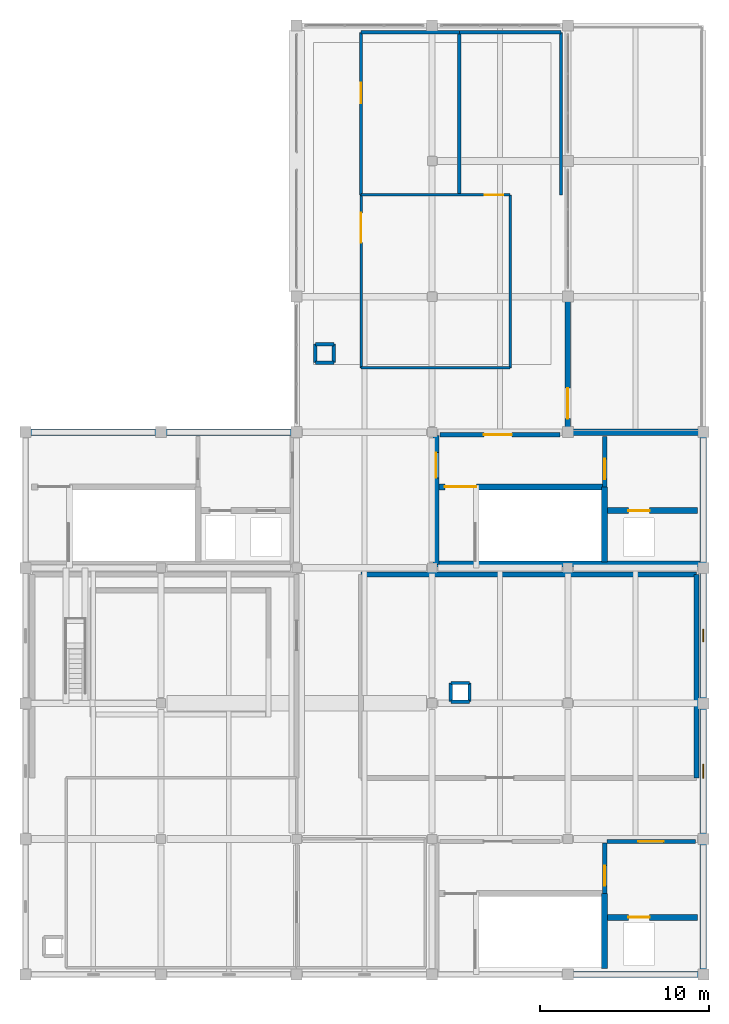
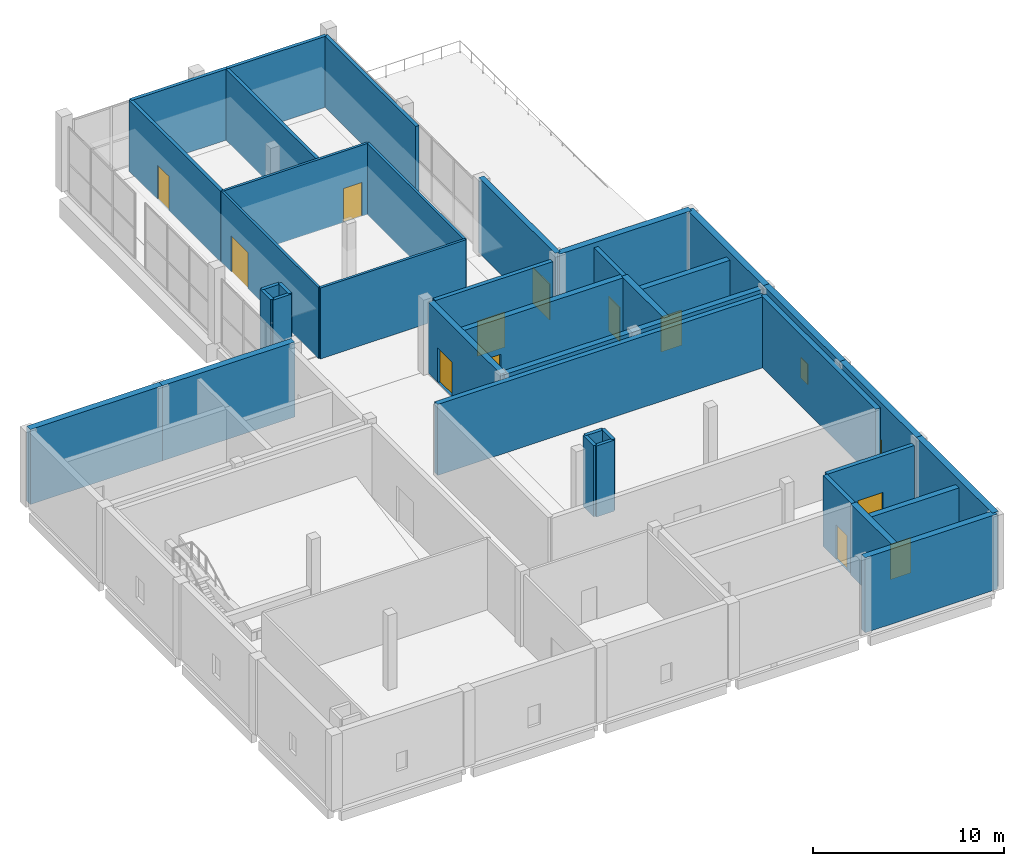
# One storey, part 6 of 8: 39 walls, 12 doors, 2 windows, 14 openings.
"""IFC4 building model written with IfcOpenShell, lengths in metres."""

import ifcopenshell
import ifcopenshell.guid

model = None  # the IFC model being written
_history = None  # IfcOwnerHistory: only IFC2X3 demands one
_inside = {}  # id of a spatial element -> (the spatial element, [elements in it])
_under = {}  # id of a project, library or spatial element -> (it, [spatial elements below it])
_declared = {}  # id of a project -> (the project, [libraries it declares])
_typed = {}  # id of a type object -> (the type object, [elements of that type])
_made_of = {}  # id of a material, layer set ... -> (it, [elements and type objects made of it])


def new_model(schema):
    """Start an empty IFC model of exactly this schema.

    Asked for "IFC4X3", IfcOpenShell would pick the latest addendum, in which some entities
    have other attributes; the version numbers below select the first issue.
    IFC2X3 requires an IfcOwnerHistory on every rooted entity: one is made here for all.
    """
    global model, _history
    if schema == "IFC4X3":
        model = ifcopenshell.file(schema_version=(4, 3, 0, 0))
    else:
        model = ifcopenshell.file(schema=schema)
    _inside.clear()
    _under.clear()
    _declared.clear()
    _typed.clear()
    _made_of.clear()
    _history = None
    if model.schema == "IFC2X3":
        org = make("IfcOrganization", Name="unknown")
        user = make(
            "IfcPersonAndOrganization",
            ThePerson=make("IfcPerson", FamilyName="unknown"),
            TheOrganization=org,
        )
        app = make(
            "IfcApplication",
            ApplicationDeveloper=org,
            Version="unknown",
            ApplicationFullName="unknown",
            ApplicationIdentifier="unknown",
        )
        _history = make(
            "IfcOwnerHistory",
            OwningUser=user,
            OwningApplication=app,
            ChangeAction="ADDED",
            CreationDate=0,
        )
    return model


def make(cls, **values):
    """One entity of the class cls with the attributes given. An attribute that is None is left unset."""
    return model.create_entity(
        cls, **{name: value for name, value in values.items() if value is not None}
    )


def rooted(cls, **values):
    """An entity with a GlobalId (a new one), such as an element, a storey or a relation."""
    return make(cls, GlobalId=ifcopenshell.guid.new(), OwnerHistory=_history, **values)


def si_unit(unit_type, name, prefix=None):
    """IfcSIUnit, for example si_unit("LENGTHUNIT", "METRE", prefix="MILLI")."""
    return make("IfcSIUnit", UnitType=unit_type, Prefix=prefix, Name=name)


def assignment(units):
    """IfcUnitAssignment: the units of a project."""
    return None if units is None else make("IfcUnitAssignment", Units=units)


def point(xyz):
    """IfcCartesianPoint."""
    return None if xyz is None else make("IfcCartesianPoint", Coordinates=xyz)


def direction(xyz):
    """IfcDirection."""
    return None if xyz is None else make("IfcDirection", DirectionRatios=xyz)


def frame(location, z_axis=None, x_axis=None):
    """IfcAxis2Placement3D, a coordinate frame: its origin and axes. An axis left out is left unset."""
    return make(
        "IfcAxis2Placement3D",
        Location=point(location),
        Axis=direction(z_axis),
        RefDirection=direction(x_axis),
    )


def frame_2d(location, x_axis=None):
    """IfcAxis2Placement2D, a coordinate frame in the plane: its origin and x axis."""
    return make(
        "IfcAxis2Placement2D", Location=point(location), RefDirection=direction(x_axis)
    )


def origin():
    """The frame at (0, 0, 0) with its axes left unset."""
    return frame((0.0, 0.0, 0.0))


def place(relative_to, where):
    """IfcLocalPlacement: puts the frame where relative to a parent placement (None: the world)."""
    return make(
        "IfcLocalPlacement", PlacementRelTo=relative_to, RelativePlacement=where
    )


def context(
    kind, dimensions, precision=None, world=None, true_north=None, identifier=None
):
    """IfcGeometricRepresentationContext, for example the 3D "Model" context."""
    return make(
        "IfcGeometricRepresentationContext",
        ContextIdentifier=identifier,
        ContextType=kind,
        CoordinateSpaceDimension=dimensions,
        Precision=precision,
        WorldCoordinateSystem=world,
        TrueNorth=true_north,
    )


def subcontext(parent, identifier, kind, view, scale=None):
    """IfcGeometricRepresentationSubContext, for example "Body" below "Model"."""
    return make(
        "IfcGeometricRepresentationSubContext",
        ContextIdentifier=identifier,
        ContextType=kind,
        ParentContext=parent,
        TargetScale=scale,
        TargetView=view,
    )


def project(units=None, contexts=None):
    """IfcProject with its units and contexts."""
    return rooted(
        "IfcProject",
        Name="project",
        RepresentationContexts=contexts,
        UnitsInContext=assignment(units),
    )


def spatial(cls, under=None, at=None, **own):
    """A site, building, storey or space (cls), placed at a placement, below another one or the project."""
    s = rooted(cls, ObjectPlacement=at, **own)
    if under is not None:
        _under.setdefault(under.id(), (under, []))[1].append(s)
    return s


def profile(cls, at=None, kind="AREA", **sizes):
    """A parametric profile (cls). Its sizes go by their IFC names, for example OverallWidth=200.0."""
    return make(cls, ProfileType=kind, Position=at, **sizes)


def rectangle(**sizes):
    """IfcRectangleProfileDef."""
    return profile("IfcRectangleProfileDef", **sizes)


def extrude(swept, where, along, depth):
    """IfcExtrudedAreaSolid: the profile swept, set in the frame where, extruded along a direction by depth."""
    return make(
        "IfcExtrudedAreaSolid",
        SweptArea=swept,
        Position=where,
        ExtrudedDirection=direction(along),
        Depth=depth,
    )


def shape(context_of_items, identifier, shape_type, items):
    """IfcShapeRepresentation: the items that make up one representation, for example the "Body"."""
    return make(
        "IfcShapeRepresentation",
        ContextOfItems=context_of_items,
        RepresentationIdentifier=identifier,
        RepresentationType=shape_type,
        Items=items,
    )


def material(Name=None, Category=None):
    """IfcMaterial."""
    return make("IfcMaterial", Name=Name, Category=Category)


def layer(
    of_material, thickness, ventilated=None, Name=None, Category=None, Priority=None
):
    """IfcMaterialLayer: one layer of a wall or slab, of a material (None: an air gap)."""
    return make(
        "IfcMaterialLayer",
        Material=of_material,
        LayerThickness=thickness,
        IsVentilated=ventilated,
        Name=Name,
        Category=Category,
        Priority=Priority,
    )


def layer_set(layers, Name=None):
    """IfcMaterialLayerSet."""
    return make("IfcMaterialLayerSet", MaterialLayers=layers, LayerSetName=Name)


def made_of(thing, what):
    """Note that an element or type object is made of a material, layer set ...; save() writes the relation."""
    if what is not None:
        _made_of.setdefault(what.id(), (what, []))[1].append(thing)
    return thing


def type_object(cls, material=None, **own):
    """A type object (cls), such as IfcWallType, which elements share."""
    return made_of(rooted(cls, **own), material)


def element(
    cls,
    number,
    at=None,
    inside=None,
    cuts=None,
    type_object=None,
    material=None,
    context=None,
    identifier="Body",
    shape_type=None,
    held_by="IfcProductDefinitionShape",
    body=None,
    shapes=None,
    **own,
):
    """One element of the class cls, such as IfcWall. Its Tag is "e" and its number.

    at: its placement. inside: the storey or other place that contains it. cuts: it is an
    opening in that element (IfcRelVoidsElement). A single representation is given by context,
    identifier, shape_type and body (its items); several are given by shapes. held_by: the class
    of the entity that holds the representations. save() writes the other relations.
    """
    e = rooted(cls, Tag="e%d" % number, ObjectPlacement=at, **own)
    if body is not None:
        shapes = [shape(context, identifier, shape_type, body)]
    if shapes is not None:
        e.Representation = make(held_by, Representations=shapes)
    if inside is not None:
        _inside.setdefault(inside.id(), (inside, []))[1].append(e)
    if cuts is not None:
        rooted(
            "IfcRelVoidsElement", RelatingBuildingElement=cuts, RelatedOpeningElement=e
        )
    if type_object is not None:
        _typed.setdefault(type_object.id(), (type_object, []))[1].append(e)
    return made_of(e, material)


def fill(opening, filler):
    """IfcRelFillsElement: the door or window that sits in an opening."""
    return rooted(
        "IfcRelFillsElement",
        RelatingOpeningElement=opening,
        RelatedBuildingElement=filler,
    )


def aggregate(whole, parts):
    """IfcRelAggregates: a whole, such as a stair, and the parts it consists of."""
    return rooted("IfcRelAggregates", RelatingObject=whole, RelatedObjects=parts)


def save(model, path):
    """Write the relations noted so far, then the file.

    IfcRelAggregates (storeys below a building ...), IfcRelContainedInSpatialStructure (elements
    in a storey), IfcRelDefinesByType, IfcRelAssociatesMaterial and IfcRelDeclares: one each for
    every whole, place, type object, material and project.
    """
    for whole, parts in _under.values():
        aggregate(whole, parts)
    for where, things in _inside.values():
        rooted(
            "IfcRelContainedInSpatialStructure",
            RelatedElements=things,
            RelatingStructure=where,
        )
    for kind, things in _typed.values():
        rooted("IfcRelDefinesByType", RelatedObjects=things, RelatingType=kind)
    for what, things in _made_of.values():
        rooted("IfcRelAssociatesMaterial", RelatedObjects=things, RelatingMaterial=what)
    for by, libraries in _declared.values():
        rooted("IfcRelDeclares", RelatingContext=by, RelatedDefinitions=libraries)
    model.write(path)


model = new_model("IFC4")

# Units and contexts
model_context = context("Model", 3, precision=1e-05, world=origin(), true_north=direction((0.0, 1.0)))
body_context = subcontext(model_context, "Body", "Model", "MODEL_VIEW")
ifc_project = project(units=[si_unit("LENGTHUNIT", "METRE"), si_unit("AREAUNIT", "SQUARE_METRE"), si_unit("VOLUMEUNIT", "CUBIC_METRE"), si_unit("PLANEANGLEUNIT", "RADIAN"), si_unit("MASSUNIT", "GRAM", prefix="KILO")], contexts=[model_context])

# Site, building, storey
site_placement = place(None, origin())
site = spatial("IfcSite", under=ifc_project, at=site_placement, CompositionType="ELEMENT")
building_placement = place(site_placement, origin())
building = spatial("IfcBuilding", under=site, at=building_placement, Name="Qorikala Patio Media Centre", CompositionType="ELEMENT")
storey_placement = place(building_placement, frame((0.0, 0.0, 27.89990234375)))
storey = spatial("IfcBuildingStorey", under=building, at=storey_placement, Name="L06", CompositionType="ELEMENT", Elevation=27.89990234375)

# Walls
ifc_material_1 = material(Name="Concrete C35/45", Category="concrete")
ifc_layer_1 = layer(ifc_material_1, 0.300048828125)
ifc_layer_set_1 = layer_set([ifc_layer_1], Name="Concrete C35/45")
wall_type_1 = type_object("IfcWallType", Name="WL-AC-300", PredefinedType="SHEAR", material=ifc_layer_set_1)
wall_1_placement = place(storey_placement, frame((42.60009765625, 14.60009765625, 0.0), z_axis=(0.0, 0.0, 1.0), x_axis=(0.0, 1.0, 0.0)))
element("IfcWall", 1, at=wall_1_placement, inside=storey, type_object=wall_type_1, Name="L06 Interior Wall WINT-L06-MPRJ-E", PredefinedType="SHEAR", context=body_context, shape_type="SweptSolid", body=[
    extrude(rectangle(XDim=12.0, YDim=0.300048828125, at=frame_2d((6.0, 0.0))), origin(), (0.0, 0.0, 1.0), 4.5400390625),
])
wall_2_placement = place(storey_placement, frame((22.800048828125, 26.60009765625, 0.0), z_axis=(0.0, 0.0, 1.0), x_axis=(1.0, 0.0, 0.0)))
element("IfcWall", 2, at=wall_2_placement, inside=storey, type_object=wall_type_1, Name="L06 Interior Wall WINT-L06-MPRJ-N", PredefinedType="SHEAR", context=body_context, shape_type="SweptSolid", body=[
    extrude(rectangle(XDim=19.800048828125, YDim=0.300048828125, at=frame_2d((9.89990234375, 0.0))), origin(), (0.0, 0.0, 1.0), 4.5400390625),
])
ifc_layer_2 = layer(ifc_material_1, 0.35009765625)
ifc_layer_set_2 = layer_set([ifc_layer_2], Name="Concrete C35/45")
wall_type_2 = type_object("IfcWallType", Name="WL-CORE-350", PredefinedType="SHEAR", material=ifc_layer_set_2)
wall_3_placement = place(storey_placement, frame((37.175048828125, 3.35009765625, 0.0), z_axis=(0.0, 0.0, 1.0), x_axis=(0.0, 1.0, 0.0)))
element("IfcWall", 3, at=wall_3_placement, inside=storey, type_object=wall_type_2, Name="L06 Interior Wall CW-L06-C1-SE", PredefinedType="SHEAR", context=body_context, shape_type="SweptSolid", body=[
    extrude(rectangle(XDim=4.4248046875, YDim=0.35009765625, at=frame_2d((2.21240234375, 0.0))), origin(), (0.0, 0.0, 1.0), 4.5400390625),
])

# Wall, opening, door
wall_4_placement = place(storey_placement, frame((37.175048828125, 6.375, 0.0), z_axis=(0.0, 0.0, 1.0), x_axis=(1.0, 0.0, 0.0)))
wall_4 = element("IfcWall", 4, at=wall_4_placement, inside=storey, type_object=wall_type_2, Name="L06 Interior Wall CW-L06-C1-LFN", PredefinedType="SHEAR", context=body_context, shape_type="SweptSolid", body=[
    extrude(rectangle(XDim=5.474853515625, YDim=0.35009765625, at=frame_2d((2.7373046875, 0.0))), origin(), (0.0, 0.0, 1.0), 4.5400390625),
])
opening_1_placement = place(wall_4_placement, frame((1.39990234375, 0.0, 0.0)))
opening_1 = element("IfcOpeningElement", 5, at=opening_1_placement, cuts=wall_4, Name="Opening LD08", PredefinedType="OPENING", context=body_context, shape_type="SweptSolid", body=[
    extrude(rectangle(XDim=1.25, YDim=2.25, at=frame_2d((0.625, 1.125))), frame((0.0, 0.18505859375, 0.0), z_axis=(0.0, -1.0, 0.0), x_axis=(1.0, 0.0, 0.0)), (0.0, 0.0, 1.0), 0.3701171875),
])
ifc_material_2 = material(Name="Brushed Bronze Stainless Steel", Category="steel")
door_type_1 = type_object("IfcDoorType", Name="DR-LD-125X225", OperationType="DOUBLE_DOOR_SLIDING", PredefinedType="DOOR", material=ifc_material_2)
door_1_placement = place(opening_1_placement, origin())
door_1 = element("IfcDoor", 6, at=door_1_placement, inside=storey, type_object=door_type_1, Name="L06 Lift LF-01 Sliding Landing Door", OperationType="DOUBLE_DOOR_SLIDING", OverallHeight=2.25, OverallWidth=1.25, PredefinedType="DOOR", context=body_context, shape_type="SweptSolid", body=[
    extrude(rectangle(XDim=1.25, YDim=2.25, at=frame_2d((0.625, 1.125))), frame((0.0, 0.02490234375, 0.0), z_axis=(0.0, -1.0, 0.0), x_axis=(1.0, 0.0, 0.0)), (0.0, 0.0, 1.0), 0.050048828125),
])
fill(opening_1, door_1)

# Wall
wall_5_placement = place(storey_placement, frame((27.199951171875, 27.22509765625, 0.0), z_axis=(0.0, 0.0, 1.0), x_axis=(1.0, 0.0, 0.0)))
element("IfcWall", 7, at=wall_5_placement, inside=storey, type_object=wall_type_2, Name="L06 Core C5 Stair South Wall", PredefinedType="SHEAR", context=body_context, shape_type="SweptSolid", body=[
    extrude(rectangle(XDim=15.60009765625, YDim=0.35009765625, at=frame_2d((7.800048828125, 0.0))), origin(), (0.0, 0.0, 1.0), 4.5400390625),
])

# Wall, opening, door
wall_6_placement = place(storey_placement, frame((27.22509765625, 27.199951171875, 0.0), z_axis=(0.0, 0.0, 1.0), x_axis=(0.0, 1.0, 0.0)))
wall_6 = element("IfcWall", 8, at=wall_6_placement, inside=storey, type_object=wall_type_2, Name="L06 Interior Wall CW-L06-C5-SW", PredefinedType="SHEAR", context=body_context, shape_type="SweptSolid", body=[
    extrude(rectangle(XDim=7.60009765625, YDim=0.35009765625, at=frame_2d((3.800048828125, 0.0))), origin(), (0.0, 0.0, 1.0), 4.5400390625),
])
opening_2_placement = place(wall_6_placement, frame((5.10009765625, 0.0, 0.0)))
opening_2 = element("IfcOpeningElement", 9, at=opening_2_placement, cuts=wall_6, Name="Opening D175", PredefinedType="OPENING", context=body_context, shape_type="SweptSolid", body=[
    extrude(rectangle(XDim=1.5, YDim=2.199951171875, at=frame_2d((0.75, 1.10009765625))), frame((0.0, 0.18505859375, 0.0), z_axis=(0.0, -1.0, 0.0), x_axis=(1.0, 0.0, 0.0)), (0.0, 0.0, 1.0), 0.3701171875),
])
ifc_material_3 = material(Name="Powder-Coated Acoustic Fire Steel", Category="steel")
door_type_2 = type_object("IfcDoorType", Name="DR-FD60-150X220", OperationType="DOUBLE_DOOR_SINGLE_SWING", PredefinedType="DOOR", material=ifc_material_3)
door_2_placement = place(opening_2_placement, origin())
door_2 = element("IfcDoor", 10, at=door_2_placement, inside=storey, type_object=door_type_2, Name="L06 Core C5 West Corridor Fire Door", OperationType="DOUBLE_DOOR_SINGLE_SWING", OverallHeight=2.199951171875, OverallWidth=1.5, PredefinedType="DOOR", context=body_context, shape_type="SweptSolid", body=[
    extrude(rectangle(XDim=1.5, YDim=2.199951171875, at=frame_2d((0.75, 1.10009765625))), frame((0.0, 0.02490234375, 0.0), z_axis=(0.0, -1.0, 0.0), x_axis=(1.0, 0.0, 0.0)), (0.0, 0.0, 1.0), 0.050048828125),
])
fill(opening_2, door_2)

# Wall
wall_7_placement = place(storey_placement, frame((37.175048828125, 27.35009765625, 0.0), z_axis=(0.0, 0.0, 1.0), x_axis=(0.0, 1.0, 0.0)))
element("IfcWall", 11, at=wall_7_placement, inside=storey, type_object=wall_type_2, Name="L06 Interior Wall CW-L06-C5-SE", PredefinedType="SHEAR", context=body_context, shape_type="SweptSolid", body=[
    extrude(rectangle(XDim=4.4248046875, YDim=0.35009765625, at=frame_2d((2.21240234375, 0.0))), origin(), (0.0, 0.0, 1.0), 4.5400390625),
])

# Wall, opening, door
wall_8_placement = place(storey_placement, frame((27.35009765625, 31.77490234375, 0.0), z_axis=(0.0, 0.0, 1.0), x_axis=(1.0, 0.0, 0.0)))
wall_8 = element("IfcWall", 12, at=wall_8_placement, inside=storey, type_object=wall_type_2, Name="L06 Interior Wall CW-L06-C5-SN", PredefinedType="SHEAR", context=body_context, shape_type="SweptSolid", body=[
    extrude(rectangle(XDim=9.824951171875, YDim=0.35009765625, at=frame_2d((4.91259765625, 0.0))), origin(), (0.0, 0.0, 1.0), 4.5400390625),
])
opening_3_placement = place(wall_8_placement, frame((0.39990234375, 0.0, 0.0)))
opening_3 = element("IfcOpeningElement", 13, at=opening_3_placement, cuts=wall_8, Name="Opening D172", PredefinedType="OPENING", context=body_context, shape_type="SweptSolid", body=[
    extrude(rectangle(XDim=1.85009765625, YDim=2.25, at=frame_2d((0.925048828125, 1.125))), frame((0.0, 0.18505859375, 0.0), z_axis=(0.0, -1.0, 0.0), x_axis=(1.0, 0.0, 0.0)), (0.0, 0.0, 1.0), 0.3701171875),
])
door_type_3 = type_object("IfcDoorType", Name="DR-FD60-185X225", OperationType="DOUBLE_DOOR_SINGLE_SWING", PredefinedType="DOOR", material=ifc_material_3)
door_3_placement = place(opening_3_placement, origin())
door_3 = element("IfcDoor", 14, at=door_3_placement, inside=storey, type_object=door_type_3, Name="L06 Stair ST-5 Fire Door", OperationType="DOUBLE_DOOR_SINGLE_SWING", OverallHeight=2.25, OverallWidth=1.85009765625, PredefinedType="DOOR", context=body_context, shape_type="SweptSolid", body=[
    extrude(rectangle(XDim=1.85009765625, YDim=2.25, at=frame_2d((0.925048828125, 1.125))), frame((0.0, 0.02490234375, 0.0), z_axis=(0.0, -1.0, 0.0), x_axis=(1.0, 0.0, 0.0)), (0.0, 0.0, 1.0), 0.050048828125),
])
fill(opening_3, door_3)

wall_9_placement = place(storey_placement, frame((37.175048828125, 30.375, 0.0), z_axis=(0.0, 0.0, 1.0), x_axis=(1.0, 0.0, 0.0)))
wall_9 = element("IfcWall", 15, at=wall_9_placement, inside=storey, type_object=wall_type_2, Name="L06 Interior Wall CW-L06-C5-LFN", PredefinedType="SHEAR", context=body_context, shape_type="SweptSolid", body=[
    extrude(rectangle(XDim=5.474853515625, YDim=0.35009765625, at=frame_2d((2.7373046875, 0.0))), origin(), (0.0, 0.0, 1.0), 4.5400390625),
])
opening_4_placement = place(wall_9_placement, frame((1.39990234375, 0.0, 0.0)))
opening_4 = element("IfcOpeningElement", 16, at=opening_4_placement, cuts=wall_9, Name="Opening LD47", PredefinedType="OPENING", context=body_context, shape_type="SweptSolid", body=[
    extrude(rectangle(XDim=1.25, YDim=2.25, at=frame_2d((0.625, 1.125))), frame((0.0, 0.18505859375, 0.0), z_axis=(0.0, -1.0, 0.0), x_axis=(1.0, 0.0, 0.0)), (0.0, 0.0, 1.0), 0.3701171875),
])
door_4_placement = place(opening_4_placement, origin())
door_4 = element("IfcDoor", 17, at=door_4_placement, inside=storey, type_object=door_type_1, Name="L06 Lift LP-03 Sliding Landing Door", OperationType="DOUBLE_DOOR_SLIDING", OverallHeight=2.25, OverallWidth=1.25, PredefinedType="DOOR", context=body_context, shape_type="SweptSolid", body=[
    extrude(rectangle(XDim=1.25, YDim=2.25, at=frame_2d((0.625, 1.125))), frame((0.0, 0.02490234375, 0.0), z_axis=(0.0, -1.0, 0.0), x_axis=(1.0, 0.0, 0.0)), (0.0, 0.0, 1.0), 0.050048828125),
])
fill(opening_4, door_4)

ifc_material_4 = material(Name="Ivory Lime Stucco and Concrete C35/45", Category="concrete")
ifc_layer_3 = layer(ifc_material_4, 0.320068359375)
ifc_layer_set_3 = layer_set([ifc_layer_3], Name="Ivory Lime Stucco and Concrete C35/45")
wall_type_3 = type_object("IfcWallType", Name="WL-EXT-320", PredefinedType="SOLIDWALL", material=ifc_layer_set_3)
wall_10_placement = place(storey_placement, frame((35.0, 43.0, 0.0), z_axis=(0.0, 0.0, 1.0), x_axis=(0.0, -1.0, 0.0)))
wall_10 = element("IfcWall", 18, at=wall_10_placement, inside=storey, type_object=wall_type_3, Name="L06 Terrace Access Wall WL-L06-TERR-011", PredefinedType="SOLIDWALL", context=body_context, shape_type="SweptSolid", body=[
    extrude(rectangle(XDim=8.0, YDim=0.320068359375, at=frame_2d((4.0, 0.0))), origin(), (0.0, 0.0, 1.0), 4.800048828125),
])
opening_5_placement = place(wall_10_placement, frame((5.39990234375, 0.0, 0.0)))
opening_5 = element("IfcOpeningElement", 19, at=opening_5_placement, cuts=wall_10, Name="Opening D022", PredefinedType="OPENING", context=body_context, shape_type="SweptSolid", body=[
    extrude(rectangle(XDim=1.800048828125, YDim=2.300048828125, at=frame_2d((0.89990234375, 1.14990234375))), frame((0.0, 0.169921875, 0.0), z_axis=(0.0, -1.0, 0.0), x_axis=(1.0, 0.0, 0.0)), (0.0, 0.0, 1.0), 0.340087890625),
])
ifc_material_5 = material(Name="Bronze Anodised Aluminium and Glass", Category="aluminium")
door_type_4 = type_object("IfcDoorType", Name="DR-TER-180X230", OperationType="DOUBLE_DOOR_SINGLE_SWING", PredefinedType="DOOR", material=ifc_material_5)
door_5_placement = place(opening_5_placement, origin())
door_5 = element("IfcDoor", 20, at=door_5_placement, inside=storey, type_object=door_type_4, Name="L06 Rooftop Terrace Access Door 003", OperationType="DOUBLE_DOOR_SINGLE_SWING", OverallHeight=2.300048828125, OverallWidth=1.800048828125, PredefinedType="DOOR", context=body_context, shape_type="SweptSolid", body=[
    extrude(rectangle(XDim=1.800048828125, YDim=2.300048828125, at=frame_2d((0.89990234375, 1.14990234375))), frame((0.0, 0.02490234375, 0.0), z_axis=(0.0, -1.0, 0.0), x_axis=(1.0, 0.0, 0.0)), (0.0, 0.0, 1.0), 0.050048828125),
])
fill(opening_5, door_5)

ifc_layer_4 = layer(ifc_material_1, 0.25)
ifc_layer_set_4 = layer_set([ifc_layer_4], Name="Concrete C35/45")
wall_type_4 = type_object("IfcWallType", Name="WL-FFL-250", PredefinedType="PARTITIONING", material=ifc_layer_set_4)
wall_11_placement = place(storey_placement, frame((37.175048828125, 7.77490234375, 0.0), z_axis=(0.0, 0.0, 1.0), x_axis=(0.0, 1.0, 0.0)))
wall_11 = element("IfcWall", 21, at=wall_11_placement, inside=storey, type_object=wall_type_4, Name="L06 Interior Wall CW-L06-C1-LBD", PredefinedType="PARTITIONING", context=body_context, shape_type="SweptSolid", body=[
    extrude(rectangle(XDim=2.97509765625, YDim=0.25, at=frame_2d((1.487548828125, 0.0))), origin(), (0.0, 0.0, 1.0), 4.5400390625),
])
opening_6_placement = place(wall_11_placement, frame((0.449951171875, 0.0, 0.0)))
opening_6 = element("IfcOpeningElement", 22, at=opening_6_placement, cuts=wall_11, Name="Opening D052", PredefinedType="OPENING", context=body_context, shape_type="SweptSolid", body=[
    extrude(rectangle(XDim=1.199951171875, YDim=2.199951171875, at=frame_2d((0.60009765625, 1.10009765625))), frame((0.0, 0.135009765625, 0.0), z_axis=(0.0, -1.0, 0.0), x_axis=(1.0, 0.0, 0.0)), (0.0, 0.0, 1.0), 0.27001953125),
])
ifc_material_6 = material(Name="Acoustic Fire Timber and Steel", Category="steel")
door_type_5 = type_object("IfcDoorType", Name="DR-FD60-120X220", OperationType="NOTDEFINED", PredefinedType="DOOR", material=ifc_material_6)
door_6_placement = place(opening_6_placement, origin())
door_6 = element("IfcDoor", 23, at=door_6_placement, inside=storey, type_object=door_type_5, Name="L06 Core C1 Firefighting Lobby Cross Door", OperationType="SINGLE_SWING_RIGHT", OverallHeight=2.199951171875, OverallWidth=1.199951171875, PredefinedType="DOOR", context=body_context, shape_type="SweptSolid", body=[
    extrude(rectangle(XDim=1.199951171875, YDim=2.199951171875, at=frame_2d((0.60009765625, 1.10009765625))), frame((0.0, 0.02490234375, 0.0), z_axis=(0.0, -1.0, 0.0), x_axis=(1.0, 0.0, 0.0)), (0.0, 0.0, 1.0), 0.050048828125),
])
fill(opening_6, door_6)

wall_12_placement = place(storey_placement, frame((37.300048828125, 10.85009765625, 0.0), z_axis=(0.0, 0.0, 1.0), x_axis=(1.0, 0.0, 0.0)))
wall_12 = element("IfcWall", 24, at=wall_12_placement, inside=storey, type_object=wall_type_4, Name="L06 Interior Wall CW-L06-C1-CN2", PredefinedType="PARTITIONING", context=body_context, shape_type="SweptSolid", body=[
    extrude(rectangle(XDim=5.25, YDim=0.25, at=frame_2d((2.625, 0.0))), origin(), (0.0, 0.0, 1.0), 4.5400390625),
])
opening_7_placement = place(wall_12_placement, frame((1.85009765625, 0.0, 0.0)))
opening_7 = element("IfcOpeningElement", 25, at=opening_7_placement, cuts=wall_12, Name="Opening D054", PredefinedType="OPENING", context=body_context, shape_type="SweptSolid", body=[
    extrude(rectangle(XDim=1.5, YDim=2.199951171875, at=frame_2d((0.75, 1.10009765625))), frame((0.0, 0.135009765625, 0.0), z_axis=(0.0, -1.0, 0.0), x_axis=(1.0, 0.0, 0.0)), (0.0, 0.0, 1.0), 0.27001953125),
])
door_7_placement = place(opening_7_placement, origin())
door_7 = element("IfcDoor", 26, at=door_7_placement, inside=storey, type_object=door_type_2, Name="L06 Core C1 Firefighting Lobby Door", OperationType="DOUBLE_DOOR_SINGLE_SWING", OverallHeight=2.199951171875, OverallWidth=1.5, PredefinedType="DOOR", context=body_context, shape_type="SweptSolid", body=[
    extrude(rectangle(XDim=1.5, YDim=2.199951171875, at=frame_2d((0.75, 1.10009765625))), frame((0.0, 0.02490234375, 0.0), z_axis=(0.0, -1.0, 0.0), x_axis=(1.0, 0.0, 0.0)), (0.0, 0.0, 1.0), 0.050048828125),
])
fill(opening_7, door_7)

wall_13_placement = place(storey_placement, frame((37.175048828125, 31.77490234375, 0.0), z_axis=(0.0, 0.0, 1.0), x_axis=(0.0, 1.0, 0.0)))
wall_13 = element("IfcWall", 27, at=wall_13_placement, inside=storey, type_object=wall_type_4, Name="L06 Interior Wall CW-L06-C5-LBD", PredefinedType="PARTITIONING", context=body_context, shape_type="SweptSolid", body=[
    extrude(rectangle(XDim=2.97509765625, YDim=0.25, at=frame_2d((1.487548828125, 0.0))), origin(), (0.0, 0.0, 1.0), 4.5400390625),
])
opening_8_placement = place(wall_13_placement, frame((0.449951171875, 0.0, 0.0)))
opening_8 = element("IfcOpeningElement", 28, at=opening_8_placement, cuts=wall_13, Name="Opening D173", PredefinedType="OPENING", context=body_context, shape_type="SweptSolid", body=[
    extrude(rectangle(XDim=1.199951171875, YDim=2.199951171875, at=frame_2d((0.60009765625, 1.10009765625))), frame((0.0, 0.135009765625, 0.0), z_axis=(0.0, -1.0, 0.0), x_axis=(1.0, 0.0, 0.0)), (0.0, 0.0, 1.0), 0.27001953125),
])
door_8_placement = place(opening_8_placement, origin())
door_8 = element("IfcDoor", 29, at=door_8_placement, inside=storey, type_object=door_type_5, Name="L06 Core C5 Firefighting Lobby Cross Door", OperationType="SINGLE_SWING_RIGHT", OverallHeight=2.199951171875, OverallWidth=1.199951171875, PredefinedType="DOOR", context=body_context, shape_type="SweptSolid", body=[
    extrude(rectangle(XDim=1.199951171875, YDim=2.199951171875, at=frame_2d((0.60009765625, 1.10009765625))), frame((0.0, 0.02490234375, 0.0), z_axis=(0.0, -1.0, 0.0), x_axis=(1.0, 0.0, 0.0)), (0.0, 0.0, 1.0), 0.050048828125),
])
fill(opening_8, door_8)

wall_14_placement = place(storey_placement, frame((27.449951171875, 34.85009765625, 0.0), z_axis=(0.0, 0.0, 1.0), x_axis=(1.0, 0.0, 0.0)))
wall_14 = element("IfcWall", 30, at=wall_14_placement, inside=storey, type_object=wall_type_4, Name="L06 Interior Wall CW-L06-C5-CN1", PredefinedType="PARTITIONING", context=body_context, shape_type="SweptSolid", body=[
    extrude(rectangle(XDim=7.10009765625, YDim=0.25, at=frame_2d((3.550048828125, 0.0))), origin(), (0.0, 0.0, 1.0), 4.5400390625),
])
opening_9_placement = place(wall_14_placement, frame((2.60009765625, 0.0, 0.0)))
opening_9 = element("IfcOpeningElement", 31, at=opening_9_placement, cuts=wall_14, Name="Opening D174", PredefinedType="OPENING", context=body_context, shape_type="SweptSolid", body=[
    extrude(rectangle(XDim=1.64990234375, YDim=2.25, at=frame_2d((0.824951171875, 1.125))), frame((0.0, 0.135009765625, 0.0), z_axis=(0.0, -1.0, 0.0), x_axis=(1.0, 0.0, 0.0)), (0.0, 0.0, 1.0), 0.27001953125),
])
door_type_6 = type_object("IfcDoorType", Name="DR-FD60-165X225", OperationType="DOUBLE_DOOR_SINGLE_SWING", PredefinedType="DOOR", material=ifc_material_3)
door_9_placement = place(opening_9_placement, frame((1.64990234375, 0.0, 0.0), z_axis=(0.0, 0.0, 1.0), x_axis=(-1.0, 0.0, 0.0)))
door_9 = element("IfcDoor", 32, at=door_9_placement, inside=storey, type_object=door_type_6, Name="L06 Core C5 Vestibule Door", OperationType="DOUBLE_DOOR_SINGLE_SWING", OverallHeight=2.25, OverallWidth=1.64990234375, PredefinedType="DOOR", context=body_context, shape_type="SweptSolid", body=[
    extrude(rectangle(XDim=1.64990234375, YDim=2.25, at=frame_2d((0.824951171875, 1.125))), frame((0.0, 0.02490234375, 0.0), z_axis=(0.0, -1.0, 0.0), x_axis=(1.0, 0.0, 0.0)), (0.0, 0.0, 1.0), 0.050048828125),
])
fill(opening_9, door_9)

# Walls
ifc_material_7 = material(Name="Acoustic Gypsum Stud Partition")
ifc_layer_5 = layer(ifc_material_7, 0.14990234375)
ifc_layer_set_5 = layer_set([ifc_layer_5], Name="Acoustic Gypsum Stud Partition")
wall_type_5 = type_object("IfcWallType", Name="WL-PT-150", PredefinedType="PARTITIONING", material=ifc_layer_set_5)
wall_15_placement = place(storey_placement, frame((22.800048828125, 38.800048828125, 0.0), z_axis=(0.0, 0.0, 1.0), x_axis=(1.0, 0.0, 0.0)))
element("IfcWall", 33, at=wall_15_placement, inside=storey, type_object=wall_type_5, Name="L06 Interior Wall WINT-L06-PRSS-S", PredefinedType="PARTITIONING", context=body_context, shape_type="SweptSolid", body=[
    extrude(rectangle(XDim=8.800048828125, YDim=0.14990234375, at=frame_2d((4.39990234375, 0.0))), origin(), (0.0, 0.0, 1.0), 4.5400390625),
])
wall_16_placement = place(storey_placement, frame((31.60009765625, 38.800048828125, 0.0), z_axis=(0.0, 0.0, 1.0), x_axis=(0.0, 1.0, 0.0)))
element("IfcWall", 34, at=wall_16_placement, inside=storey, type_object=wall_type_5, Name="L06 Interior Wall WINT-L06-PRSS-E", PredefinedType="PARTITIONING", context=body_context, shape_type="SweptSolid", body=[
    extrude(rectangle(XDim=10.199951171875, YDim=0.14990234375, at=frame_2d((5.10009765625, 0.0))), origin(), (0.0, 0.0, 1.0), 4.5400390625),
])

# Wall, opening, door
wall_17_placement = place(storey_placement, frame((22.800048828125, 49.0, 0.0), z_axis=(0.0, 0.0, 1.0), x_axis=(1.0, 0.0, 0.0)))
wall_17 = element("IfcWall", 35, at=wall_17_placement, inside=storey, type_object=wall_type_5, Name="L06 Interior Wall WINT-L06-PRSS-N", PredefinedType="PARTITIONING", context=body_context, shape_type="SweptSolid", body=[
    extrude(rectangle(XDim=8.800048828125, YDim=0.14990234375, at=frame_2d((4.39990234375, 0.0))), origin(), (0.0, 0.0, 1.0), 4.5400390625),
])
opening_10_placement = place(wall_17_placement, frame((7.300048828125, 0.0, 0.0)))
opening_10 = element("IfcOpeningElement", 36, at=opening_10_placement, cuts=wall_17, Name="Opening D326", PredefinedType="OPENING", context=body_context, shape_type="SweptSolid", body=[
    extrude(rectangle(XDim=1.10009765625, YDim=2.159912109375, at=frame_2d((0.550048828125, 1.080078125))), frame((0.0, 0.0849609375, 0.0), z_axis=(0.0, -1.0, 0.0), x_axis=(1.0, 0.0, 0.0)), (0.0, 0.0, 1.0), 0.169921875),
])
ifc_material_8 = material(Name="Solid Oak Timber", Category="wood")
door_type_7 = type_object("IfcDoorType", Name="DR-IN-110X216", OperationType="NOTDEFINED", PredefinedType="DOOR", material=ifc_material_8)
door_10_placement = place(opening_10_placement, origin())
door_10 = element("IfcDoor", 37, at=door_10_placement, inside=storey, type_object=door_type_7, Name="Sixth Level Visitor Toilet Door 115", OperationType="SINGLE_SWING_RIGHT", OverallHeight=2.159912109375, OverallWidth=1.10009765625, PredefinedType="DOOR", context=body_context, shape_type="SweptSolid", body=[
    extrude(rectangle(XDim=1.10009765625, YDim=2.159912109375, at=frame_2d((0.550048828125, 1.080078125))), frame((0.0, 0.02490234375, 0.0), z_axis=(0.0, -1.0, 0.0), x_axis=(1.0, 0.0, 0.0)), (0.0, 0.0, 1.0), 0.050048828125),
])
fill(opening_10, door_10)

wall_18_placement = place(storey_placement, frame((22.800048828125, 38.800048828125, 0.0), z_axis=(0.0, 0.0, 1.0), x_axis=(0.0, 1.0, 0.0)))
wall_18 = element("IfcWall", 38, at=wall_18_placement, inside=storey, type_object=wall_type_5, Name="L06 Interior Wall WINT-L06-PRSS-W", PredefinedType="PARTITIONING", context=body_context, shape_type="SweptSolid", body=[
    extrude(rectangle(XDim=10.199951171875, YDim=0.14990234375, at=frame_2d((5.10009765625, 0.0))), origin(), (0.0, 0.0, 1.0), 4.5400390625),
])
opening_11_placement = place(wall_18_placement, frame((7.387939453125, 0.0, 0.0)))
opening_11 = element("IfcOpeningElement", 39, at=opening_11_placement, cuts=wall_18, Name="Opening D324", PredefinedType="OPENING", context=body_context, shape_type="SweptSolid", body=[
    extrude(rectangle(XDim=1.75, YDim=2.300048828125, at=frame_2d((0.875, 1.14990234375))), frame((0.0, 0.0849609375, 0.0), z_axis=(0.0, -1.0, 0.0), x_axis=(1.0, 0.0, 0.0)), (0.0, 0.0, 1.0), 0.169921875),
])
ifc_material_9 = material(Name="Solid Andean Cedar Timber", Category="wood")
door_type_8 = type_object("IfcDoorType", Name="DR-IN-175X230", OperationType="DOUBLE_DOOR_SINGLE_SWING", PredefinedType="DOOR", material=ifc_material_9)
door_11_placement = place(opening_11_placement, origin())
door_11 = element("IfcDoor", 40, at=door_11_placement, inside=storey, type_object=door_type_8, Name="Festival Press Lounge and Interview Studio Door 113", OperationType="DOUBLE_DOOR_SINGLE_SWING", OverallHeight=2.300048828125, OverallWidth=1.75, PredefinedType="DOOR", context=body_context, shape_type="SweptSolid", body=[
    extrude(rectangle(XDim=1.75, YDim=2.300048828125, at=frame_2d((0.875, 1.14990234375))), frame((0.0, 0.02490234375, 0.0), z_axis=(0.0, -1.0, 0.0), x_axis=(1.0, 0.0, 0.0)), (0.0, 0.0, 1.0), 0.050048828125),
])
fill(opening_11, door_11)

# Walls
ifc_material_10 = material(Name="Acoustic Masonry and Plaster Concrete C30/37", Category="masonry")
ifc_layer_6 = layer(ifc_material_10, 0.199951171875)
ifc_layer_set_6 = layer_set([ifc_layer_6], Name="Acoustic Masonry and Plaster Concrete C30/37")
wall_type_6 = type_object("IfcWallType", Name="WL-ST-200", PredefinedType="PARTITIONING", material=ifc_layer_set_6)
wall_19_placement = place(storey_placement, frame((28.60009765625, 49.0, 0.0), z_axis=(0.0, 0.0, 1.0), x_axis=(0.0, 1.0, 0.0)))
element("IfcWall", 41, at=wall_19_placement, inside=storey, type_object=wall_type_6, Name="L06 Interior Wall WINT-L06-GAWC-E", PredefinedType="PARTITIONING", context=body_context, shape_type="SweptSolid", body=[
    extrude(rectangle(XDim=9.60009765625, YDim=0.199951171875, at=frame_2d((4.800048828125, 0.0))), origin(), (0.0, 0.0, 1.0), 4.5400390625),
])
wall_20_placement = place(storey_placement, frame((22.800048828125, 58.60009765625, 0.0), z_axis=(0.0, 0.0, 1.0), x_axis=(1.0, 0.0, 0.0)))
element("IfcWall", 42, at=wall_20_placement, inside=storey, type_object=wall_type_6, Name="L06 Interior Wall WINT-L06-GAWC-N", PredefinedType="PARTITIONING", context=body_context, shape_type="SweptSolid", body=[
    extrude(rectangle(XDim=5.800048828125, YDim=0.199951171875, at=frame_2d((2.89990234375, 0.0))), origin(), (0.0, 0.0, 1.0), 4.5400390625),
])

# Wall, opening, door
wall_21_placement = place(storey_placement, frame((22.800048828125, 49.0, 0.0), z_axis=(0.0, 0.0, 1.0), x_axis=(0.0, 1.0, 0.0)))
wall_21 = element("IfcWall", 43, at=wall_21_placement, inside=storey, type_object=wall_type_6, Name="L06 Interior Wall WINT-L06-GAWC-W", PredefinedType="PARTITIONING", context=body_context, shape_type="SweptSolid", body=[
    extrude(rectangle(XDim=9.60009765625, YDim=0.199951171875, at=frame_2d((4.800048828125, 0.0))), origin(), (0.0, 0.0, 1.0), 4.5400390625),
])
opening_12_placement = place(wall_21_placement, frame((5.4169921875, 0.0, 0.0)))
opening_12 = element("IfcOpeningElement", 44, at=opening_12_placement, cuts=wall_21, Name="Opening D325", PredefinedType="OPENING", context=body_context, shape_type="SweptSolid", body=[
    extrude(rectangle(XDim=1.199951171875, YDim=2.199951171875, at=frame_2d((0.60009765625, 1.10009765625))), frame((0.0, 0.10986328125, 0.0), z_axis=(0.0, -1.0, 0.0), x_axis=(1.0, 0.0, 0.0)), (0.0, 0.0, 1.0), 0.219970703125),
])
door_12_placement = place(opening_12_placement, origin())
door_12 = element("IfcDoor", 45, at=door_12_placement, inside=storey, type_object=door_type_5, Name="Sixth Level Accessible Toilet Door 114", OperationType="SINGLE_SWING_LEFT", OverallHeight=2.199951171875, OverallWidth=1.199951171875, PredefinedType="DOOR", context=body_context, shape_type="SweptSolid", body=[
    extrude(rectangle(XDim=1.199951171875, YDim=2.199951171875, at=frame_2d((0.60009765625, 1.10009765625))), frame((0.0, 0.02490234375, 0.0), z_axis=(0.0, -1.0, 0.0), x_axis=(1.0, 0.0, 0.0)), (0.0, 0.0, 1.0), 0.050048828125),
])
fill(opening_12, door_12)

# Walls
wall_22_placement = place(storey_placement, frame((34.60009765625, 49.0, 0.0), z_axis=(0.0, 0.0, 1.0), x_axis=(0.0, 1.0, 0.0)))
element("IfcWall", 46, at=wall_22_placement, inside=storey, type_object=wall_type_6, Name="L06 Interior Wall WINT-L06-GSWC-E", PredefinedType="PARTITIONING", context=body_context, shape_type="SweptSolid", body=[
    extrude(rectangle(XDim=9.60009765625, YDim=0.199951171875, at=frame_2d((4.800048828125, 0.0))), origin(), (0.0, 0.0, 1.0), 4.5400390625),
])
wall_23_placement = place(storey_placement, frame((28.60009765625, 58.60009765625, 0.0), z_axis=(0.0, 0.0, 1.0), x_axis=(1.0, 0.0, 0.0)))
element("IfcWall", 47, at=wall_23_placement, inside=storey, type_object=wall_type_6, Name="L06 Interior Wall WINT-L06-GSWC-N", PredefinedType="PARTITIONING", context=body_context, shape_type="SweptSolid", body=[
    extrude(rectangle(XDim=6.0, YDim=0.199951171875, at=frame_2d((3.0, 0.0))), origin(), (0.0, 0.0, 1.0), 4.5400390625),
])
for number, where, z_axis, x_axis, name in (
    (48, (20.10009765625, 39.10009765625, 0.0), (0.0, 0.0, 1.0), (1.0, 0.0, 0.0), "L06 Interior Wall RSW-3-L06-S"),
    (49, (20.10009765625, 40.199951171875, 0.0), (0.0, 0.0, 1.0), (1.0, 0.0, 0.0), "L06 Interior Wall RSW-3-L06-N"),
    (50, (20.10009765625, 39.10009765625, 0.0), (0.0, 0.0, 1.0), (0.0, 1.0, 0.0), "L06 Interior Wall RSW-3-L06-W"),
    (51, (21.199951171875, 39.10009765625, 0.0), (0.0, 0.0, 1.0), (0.0, 1.0, 0.0), "L06 Interior Wall RSW-3-L06-E"),
    (52, (28.10009765625, 19.10009765625, 0.0), (0.0, 0.0, 1.0), (1.0, 0.0, 0.0), "L06 Interior Wall RSW-4-L06-S"),
    (53, (28.10009765625, 20.199951171875, 0.0), (0.0, 0.0, 1.0), (1.0, 0.0, 0.0), "L06 Interior Wall RSW-4-L06-N"),
    (54, (28.10009765625, 19.10009765625, 0.0), (0.0, 0.0, 1.0), (0.0, 1.0, 0.0), "L06 Interior Wall RSW-4-L06-W"),
    (55, (29.199951171875, 19.10009765625, 0.0), (0.0, 0.0, 1.0), (0.0, 1.0, 0.0), "L06 Interior Wall RSW-4-L06-E"),
):
    element("IfcWall", number, at=place(storey_placement, frame(where, z_axis=z_axis, x_axis=x_axis)), inside=storey, type_object=wall_type_6, Name=name, PredefinedType="PARTITIONING", context=body_context, shape_type="SweptSolid", body=[
        extrude(rectangle(XDim=1.099853515625, YDim=0.199951171875, at=frame_2d((0.5498046875, 0.0))), origin(), (0.0, 0.0, 1.0), 4.5400390625),
    ])
ifc_material_11 = material(Name="Comanche Granite and Concrete C35/45", Category="masonry")
ifc_layer_7 = layer(ifc_material_11, 0.3798828125)
ifc_layer_set_7 = layer_set([ifc_layer_7], Name="Comanche Granite and Concrete C35/45")
wall_type_7 = type_object("IfcWallType", Name="WL-STONE-380", PredefinedType="SOLIDWALL", material=ifc_layer_set_7)
for number, where, z_axis, x_axis, name in (
    (56, (3.0, 35.0, 0.0), (0.0, 0.0, 1.0), (1.0, 0.0, 0.0), "L06 Core C2 Exterior Shear Wall"),
    (57, (11.0, 35.0, 0.0), (0.0, 0.0, 1.0), (1.0, 0.0, 0.0), "L06 Core C2 Exterior Shear Wall"),
    (58, (35.0, 35.0, 0.0), (0.0, 0.0, 1.0), (1.0, 0.0, 0.0), "L06 Core C5 Exterior Shear Wall"),
    (59, (43.0, 35.0, 0.0), (0.0, 0.0, 1.0), (0.0, -1.0, 0.0), "L06 Core C5 Exterior Shear Wall"),
):
    element("IfcWall", number, at=place(storey_placement, frame(where, z_axis=z_axis, x_axis=x_axis)), inside=storey, type_object=wall_type_7, Name=name, PredefinedType="SOLIDWALL", context=body_context, shape_type="SweptSolid", body=[
        extrude(rectangle(XDim=8.0, YDim=0.3798828125, at=frame_2d((4.0, 0.0))), origin(), (0.0, 0.0, 1.0), 4.800048828125),
    ])

# Wall, opening, window
wall_24_placement = place(storey_placement, frame((43.0, 27.0, 0.0), z_axis=(0.0, 0.0, 1.0), x_axis=(0.0, -1.0, 0.0)))
wall_24 = element("IfcWall", 60, at=wall_24_placement, inside=storey, type_object=wall_type_7, Name="L06 Exterior Wall WL-L06-EXT-0014", PredefinedType="SOLIDWALL", context=body_context, shape_type="SweptSolid", body=[
    extrude(rectangle(XDim=8.0, YDim=0.3798828125, at=frame_2d((4.0, 0.0))), origin(), (0.0, 0.0, 1.0), 4.800048828125),
])
opening_13_placement = place(wall_24_placement, frame((3.625, 0.0, 1.050048828125)))
opening_13 = element("IfcOpeningElement", 61, at=opening_13_placement, cuts=wall_24, Name="Opening WG-075", PredefinedType="OPENING", context=body_context, shape_type="SweptSolid", body=[
    extrude(rectangle(XDim=0.75, YDim=1.300048828125, at=frame_2d((0.375, 0.64990234375))), frame((0.0, 0.199951171875, 0.0), z_axis=(0.0, -1.0, 0.0), x_axis=(1.0, 0.0, 0.0)), (0.0, 0.0, 1.0), 0.39990234375),
])
ifc_material_12 = material(Name="Bronze Anodised Aluminium and Low-E Glass", Category="aluminium")
window_type_1 = type_object("IfcWindowType", Name="WN-GRAD-075X130", PartitioningType="SINGLE_PANEL", PredefinedType="WINDOW", material=ifc_material_12)
window_1_placement = place(opening_13_placement, origin())
window_1 = element("IfcWindow", 62, at=window_1_placement, inside=storey, type_object=window_type_1, Name="L06 Graduated Stone Window 0252", OverallHeight=1.300048828125, OverallWidth=0.75, PartitioningType="SINGLE_PANEL", PredefinedType="WINDOW", context=body_context, shape_type="SweptSolid", body=[
    extrude(rectangle(XDim=0.75, YDim=1.300048828125, at=frame_2d((0.375, 0.64990234375))), frame((0.0, 0.030029296875, 0.0), z_axis=(0.0, -1.0, 0.0), x_axis=(1.0, 0.0, 0.0)), (0.0, 0.0, 1.0), 0.06005859375),
])
fill(opening_13, window_1)

wall_25_placement = place(storey_placement, frame((43.0, 19.0, 0.0), z_axis=(0.0, 0.0, 1.0), x_axis=(0.0, -1.0, 0.0)))
wall_25 = element("IfcWall", 63, at=wall_25_placement, inside=storey, type_object=wall_type_7, Name="L06 Exterior Wall WL-L06-EXT-0015", PredefinedType="SOLIDWALL", context=body_context, shape_type="SweptSolid", body=[
    extrude(rectangle(XDim=8.0, YDim=0.3798828125, at=frame_2d((4.0, 0.0))), origin(), (0.0, 0.0, 1.0), 4.800048828125),
])
opening_14_placement = place(wall_25_placement, frame((3.590087890625, 0.0, 1.050048828125)))
opening_14 = element("IfcOpeningElement", 64, at=opening_14_placement, cuts=wall_25, Name="Opening WG-082", PredefinedType="OPENING", context=body_context, shape_type="SweptSolid", body=[
    extrude(rectangle(XDim=0.820068359375, YDim=1.3798828125, at=frame_2d((0.41015625, 0.68994140625))), frame((0.0, 0.199951171875, 0.0), z_axis=(0.0, -1.0, 0.0), x_axis=(1.0, 0.0, 0.0)), (0.0, 0.0, 1.0), 0.39990234375),
])
window_type_2 = type_object("IfcWindowType", Name="WN-GRAD-082X138", PartitioningType="SINGLE_PANEL", PredefinedType="WINDOW", material=ifc_material_12)
window_2_placement = place(opening_14_placement, origin())
window_2 = element("IfcWindow", 65, at=window_2_placement, inside=storey, type_object=window_type_2, Name="L06 Graduated Stone Window 0253", OverallHeight=1.3798828125, OverallWidth=0.820068359375, PartitioningType="SINGLE_PANEL", PredefinedType="WINDOW", context=body_context, shape_type="SweptSolid", body=[
    extrude(rectangle(XDim=0.820068359375, YDim=1.3798828125, at=frame_2d((0.41015625, 0.68994140625))), frame((0.0, 0.030029296875, 0.0), z_axis=(0.0, -1.0, 0.0), x_axis=(1.0, 0.0, 0.0)), (0.0, 0.0, 1.0), 0.06005859375),
])
fill(opening_14, window_2)

# Walls
for number, where, z_axis, x_axis, name in (
    (66, (43.0, 11.0, 0.0), (0.0, 0.0, 1.0), (0.0, -1.0, 0.0), "L06 Core C1 Exterior Shear Wall"),
    (67, (43.0, 3.0, 0.0), (0.0, 0.0, 1.0), (-1.0, 0.0, 0.0), "L06 Core C1 Exterior Shear Wall"),
):
    element("IfcWall", number, at=place(storey_placement, frame(where, z_axis=z_axis, x_axis=x_axis)), inside=storey, type_object=wall_type_7, Name=name, PredefinedType="SOLIDWALL", context=body_context, shape_type="SweptSolid", body=[
        extrude(rectangle(XDim=8.0, YDim=0.3798828125, at=frame_2d((4.0, 0.0))), origin(), (0.0, 0.0, 1.0), 4.800048828125),
    ])

save(model, "model.ifc")
